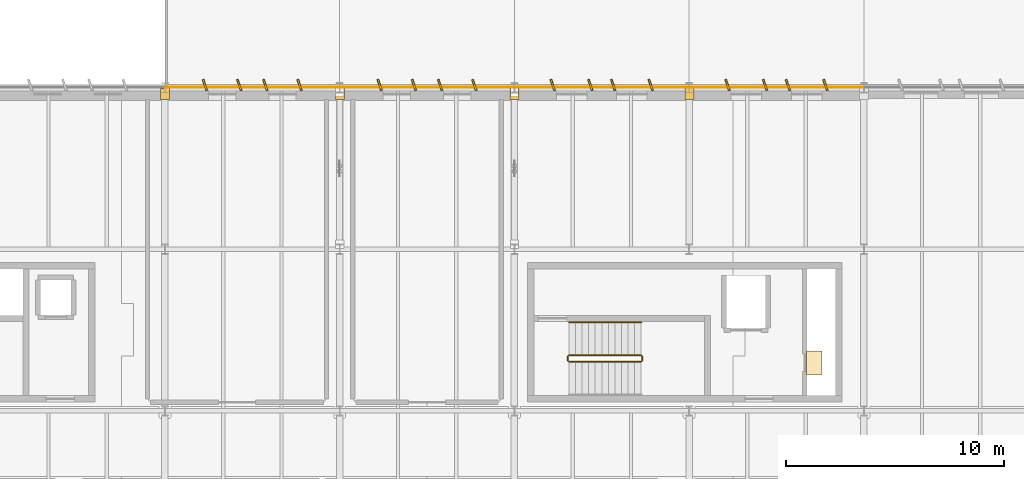
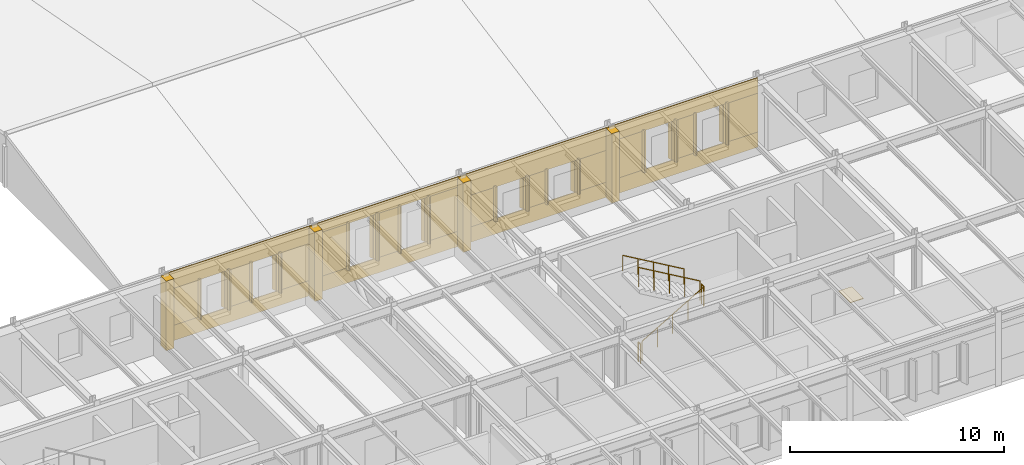
# One storey, part 59 of 63: 41 coverings, 5 railings.
"""IFC4 building model written with IfcOpenShell, lengths in metres."""

from ifc_helpers import new_model, si_unit, direction, frame, frame_2d, origin, origin_2d, place, context, subcontext, project, spatial, polyline, rectangle, circle, outline, extrude, material, layer, layer_set, type_object, element, save


model = new_model("IFC4")

# Units and contexts
model_context = context("Model", 3, precision=1e-05, world=origin(), true_north=direction((0.0, 1.0)))
body_context = subcontext(model_context, "Body", "Model", "MODEL_VIEW")
ifc_project = project(units=[si_unit("LENGTHUNIT", "METRE"), si_unit("AREAUNIT", "SQUARE_METRE"), si_unit("VOLUMEUNIT", "CUBIC_METRE"), si_unit("PLANEANGLEUNIT", "RADIAN"), si_unit("MASSUNIT", "GRAM", prefix="KILO")], contexts=[model_context])

# Site, building, storey
site_placement = place(None, origin())
site = spatial("IfcSite", under=ifc_project, at=site_placement, CompositionType="ELEMENT")
building_placement = place(site_placement, origin())
building = spatial("IfcBuilding", under=site, at=building_placement, Name="Valkorina Park Police Headquarters", CompositionType="ELEMENT")
storey_placement = place(building_placement, frame((0.0, 0.0, 9.89990234375)))
storey = spatial("IfcBuildingStorey", under=building, at=storey_placement, Name="L03", CompositionType="ELEMENT", Elevation=9.89990234375)

# Coverings
ifc_material_1 = material(Name="Precast concrete C40/50", Category="concrete")
ifc_layer_1 = layer(ifc_material_1, 0.044921875)
ifc_layer_set_1 = layer_set([ifc_layer_1], Name="Precast concrete C40/50")
covering_type_1 = type_object("IfcCoveringType", Name="COV-CLAD-DOLOMITE", PredefinedType="CLADDING", material=ifc_layer_set_1)
for number, where, z_axis, x_axis, name in (
    (1, (96.81005859375, 81.110107421875, 0.0), (0.0, 0.0, 1.0), (1.0, 0.0, 0.0), "L03 Exterior Joint Closure Pilaster B 1819"),
    (2, (104.81005859375, 81.110107421875, 0.0), (0.0, 0.0, 1.0), (1.0, 0.0, 0.0), "L03 Exterior Joint Closure Pilaster B 1829"),
):
    element("IfcCovering", number, at=place(storey_placement, frame(where, z_axis=z_axis, x_axis=x_axis)), inside=storey, type_object=covering_type_1, Name=name, PredefinedType="CLADDING", context=body_context, shape_type="SweptSolid", body=[
        extrude(rectangle(XDim=0.419921875, YDim=0.52197265625, at=origin_2d()), origin(), (0.0, 0.0, 1.0), 3.955078125),
    ])
for number, where, z_axis, x_axis, name in (
    (3, (98.632568359375, 81.52001953125, 0.780029296875), (0.0, 0.0, 1.0), (-0.317304656405, 0.948323655206, 0.0), "Slanted 18.5-deg Precast Window Slot Fin 1830"),
    (4, (100.20263671875, 81.52001953125, 0.780029296875), (0.0, 0.0, 1.0), (-0.317304656405, 0.948323655206, 0.0), "Slanted 18.5-deg Precast Window Slot Fin 1831"),
    (5, (101.3974609375, 81.52001953125, 0.780029296875), (0.0, 0.0, 1.0), (-0.317304656405, 0.948323655206, 0.0), "Slanted 18.5-deg Precast Window Slot Fin 1832"),
    (6, (102.96728515625, 81.52001953125, 0.780029296875), (0.0, 0.0, 1.0), (-0.317304656405, 0.948323655206, 0.0), "Slanted 18.5-deg Precast Window Slot Fin 1833"),
):
    element("IfcCovering", number, at=place(storey_placement, frame(where, z_axis=z_axis, x_axis=x_axis)), inside=storey, type_object=covering_type_1, Name=name, PredefinedType="CLADDING", context=body_context, shape_type="SweptSolid", body=[
        extrude(rectangle(XDim=0.5400390625, YDim=0.090087890625, at=origin_2d()), origin(), (0.0, 0.0, 1.0), 2.2900390625),
    ])
covering_1_placement = place(storey_placement, frame((96.820068359375, 81.4150390625, 0.0), z_axis=(0.0, 0.0, 1.0), x_axis=(1.0, 0.0, 0.0)))
element("IfcCovering", 7, at=covering_1_placement, inside=storey, type_object=covering_type_1, Name="L03 Calm Concrete Base Sill Spandrel 1834", PredefinedType="CLADDING", context=body_context, shape_type="SweptSolid", body=[
    extrude(rectangle(XDim=7.9599609375, YDim=0.044921875, at=frame_2d((3.97998046875, 0.0))), origin(), (0.0, 0.0, 1.0), 0.8701171875),
])
covering_2_placement = place(storey_placement, frame((96.820068359375, 81.4150390625, 2.97998046875), z_axis=(0.0, 0.0, 1.0), x_axis=(1.0, 0.0, 0.0)))
element("IfcCovering", 8, at=covering_2_placement, inside=storey, type_object=covering_type_1, Name="L03 Calm Concrete Base Lintel Spandrel 1835", PredefinedType="CLADDING", context=body_context, shape_type="SweptSolid", body=[
    extrude(rectangle(XDim=7.9599609375, YDim=0.044921875, at=frame_2d((3.97998046875, 0.0))), origin(), (0.0, 0.0, 1.0), 0.97509765625),
])
covering_3_placement = place(storey_placement, frame((96.820068359375, 81.4150390625, 0.8701171875), z_axis=(0.0, 0.0, 1.0), x_axis=(1.0, 0.0, 0.0)))
element("IfcCovering", 9, at=covering_3_placement, inside=storey, type_object=covering_type_1, Name="L03 Calm Concrete Base Slot Pier 1836", PredefinedType="CLADDING", context=body_context, shape_type="SweptSolid", body=[
    extrude(rectangle(XDim=1.922607421875, YDim=0.044921875, at=frame_2d((0.96142578125, 0.0))), origin(), (0.0, 0.0, 1.0), 2.10986328125),
])
covering_4_placement = place(storey_placement, frame((100.092529296875, 81.4150390625, 0.8701171875), z_axis=(0.0, 0.0, 1.0), x_axis=(1.0, 0.0, 0.0)))
element("IfcCovering", 10, at=covering_4_placement, inside=storey, type_object=covering_type_1, Name="L03 Calm Concrete Base Slot Pier 1837", PredefinedType="CLADDING", context=body_context, shape_type="SweptSolid", body=[
    extrude(rectangle(XDim=1.414794921875, YDim=0.044921875, at=frame_2d((0.70751953125, 0.0))), origin(), (0.0, 0.0, 1.0), 2.10986328125),
])
covering_5_placement = place(storey_placement, frame((102.857421875, 81.4150390625, 0.8701171875), z_axis=(0.0, 0.0, 1.0), x_axis=(1.0, 0.0, 0.0)))
element("IfcCovering", 11, at=covering_5_placement, inside=storey, type_object=covering_type_1, Name="L03 Calm Concrete Base Slot Pier 1838", PredefinedType="CLADDING", context=body_context, shape_type="SweptSolid", body=[
    extrude(rectangle(XDim=1.922607421875, YDim=0.044921875, at=frame_2d((0.96142578125, 0.0))), origin(), (0.0, 0.0, 1.0), 2.10986328125),
])
covering_6_placement = place(storey_placement, frame((112.81005859375, 81.110107421875, 0.0), z_axis=(0.0, 0.0, 1.0), x_axis=(1.0, 0.0, 0.0)))
element("IfcCovering", 12, at=covering_6_placement, inside=storey, type_object=covering_type_1, Name="L03 Exterior Joint Closure Pilaster B 1839", PredefinedType="CLADDING", context=body_context, shape_type="SweptSolid", body=[
    extrude(rectangle(XDim=0.419921875, YDim=0.52197265625, at=origin_2d()), origin(), (0.0, 0.0, 1.0), 3.955078125),
])
for number, where, z_axis, x_axis, name in (
    (13, (106.632568359375, 81.52001953125, 0.780029296875), (0.0, 0.0, 1.0), (-0.317304656405, 0.948323655206, 0.0), "Slanted 18.5-deg Precast Window Slot Fin 1840"),
    (14, (108.20263671875, 81.52001953125, 0.780029296875), (0.0, 0.0, 1.0), (-0.317304656405, 0.948323655206, 0.0), "Slanted 18.5-deg Precast Window Slot Fin 1841"),
    (15, (109.3974609375, 81.52001953125, 0.780029296875), (0.0, 0.0, 1.0), (-0.317304656405, 0.948323655206, 0.0), "Slanted 18.5-deg Precast Window Slot Fin 1842"),
    (16, (110.96728515625, 81.52001953125, 0.780029296875), (0.0, 0.0, 1.0), (-0.317304656405, 0.948323655206, 0.0), "Slanted 18.5-deg Precast Window Slot Fin 1843"),
):
    element("IfcCovering", number, at=place(storey_placement, frame(where, z_axis=z_axis, x_axis=x_axis)), inside=storey, type_object=covering_type_1, Name=name, PredefinedType="CLADDING", context=body_context, shape_type="SweptSolid", body=[
        extrude(rectangle(XDim=0.5400390625, YDim=0.090087890625, at=origin_2d()), origin(), (0.0, 0.0, 1.0), 2.68994140625),
    ])
covering_7_placement = place(storey_placement, frame((104.820068359375, 81.4150390625, 0.0), z_axis=(0.0, 0.0, 1.0), x_axis=(1.0, 0.0, 0.0)))
element("IfcCovering", 17, at=covering_7_placement, inside=storey, type_object=covering_type_1, Name="L03 Calm Concrete Base Sill Spandrel 1844", PredefinedType="CLADDING", context=body_context, shape_type="SweptSolid", body=[
    extrude(rectangle(XDim=7.9599609375, YDim=0.044921875, at=frame_2d((3.97998046875, 0.0))), origin(), (0.0, 0.0, 1.0), 0.8701171875),
])
covering_8_placement = place(storey_placement, frame((104.820068359375, 81.4150390625, 3.380126953125), z_axis=(0.0, 0.0, 1.0), x_axis=(1.0, 0.0, 0.0)))
element("IfcCovering", 18, at=covering_8_placement, inside=storey, type_object=covering_type_1, Name="L03 Calm Concrete Base Lintel Spandrel 1845", PredefinedType="CLADDING", context=body_context, shape_type="SweptSolid", body=[
    extrude(rectangle(XDim=7.9599609375, YDim=0.044921875, at=frame_2d((3.97998046875, 0.0))), origin(), (0.0, 0.0, 1.0), 0.574951171875),
])
covering_9_placement = place(storey_placement, frame((104.820068359375, 81.4150390625, 0.8701171875), z_axis=(0.0, 0.0, 1.0), x_axis=(1.0, 0.0, 0.0)))
element("IfcCovering", 19, at=covering_9_placement, inside=storey, type_object=covering_type_1, Name="L03 Calm Concrete Base Slot Pier 1846", PredefinedType="CLADDING", context=body_context, shape_type="SweptSolid", body=[
    extrude(rectangle(XDim=1.922607421875, YDim=0.044921875, at=frame_2d((0.96142578125, 0.0))), origin(), (0.0, 0.0, 1.0), 2.510009765625),
])
covering_10_placement = place(storey_placement, frame((108.092529296875, 81.4150390625, 0.8701171875), z_axis=(0.0, 0.0, 1.0), x_axis=(1.0, 0.0, 0.0)))
element("IfcCovering", 20, at=covering_10_placement, inside=storey, type_object=covering_type_1, Name="L03 Calm Concrete Base Slot Pier 1847", PredefinedType="CLADDING", context=body_context, shape_type="SweptSolid", body=[
    extrude(rectangle(XDim=1.414794921875, YDim=0.044921875, at=frame_2d((0.70751953125, 0.0))), origin(), (0.0, 0.0, 1.0), 2.510009765625),
])
covering_11_placement = place(storey_placement, frame((110.857421875, 81.4150390625, 0.8701171875), z_axis=(0.0, 0.0, 1.0), x_axis=(1.0, 0.0, 0.0)))
element("IfcCovering", 21, at=covering_11_placement, inside=storey, type_object=covering_type_1, Name="L03 Calm Concrete Base Slot Pier 1848", PredefinedType="CLADDING", context=body_context, shape_type="SweptSolid", body=[
    extrude(rectangle(XDim=1.922607421875, YDim=0.044921875, at=frame_2d((0.96142578125, 0.0))), origin(), (0.0, 0.0, 1.0), 2.510009765625),
])
covering_12_placement = place(storey_placement, frame((120.81005859375, 81.110107421875, 0.0), z_axis=(0.0, 0.0, 1.0), x_axis=(1.0, 0.0, 0.0)))
element("IfcCovering", 22, at=covering_12_placement, inside=storey, type_object=covering_type_1, Name="L03 Exterior Joint Closure Pilaster B 1849", PredefinedType="CLADDING", context=body_context, shape_type="SweptSolid", body=[
    extrude(rectangle(XDim=0.419921875, YDim=0.52197265625, at=origin_2d()), origin(), (0.0, 0.0, 1.0), 3.955078125),
])
for number, where, z_axis, x_axis, name in (
    (23, (114.5576171875, 81.52001953125, 0.7802734375), (0.0, 0.0, 1.0), (-0.317304656405, 0.948323655206, 0.0), "Slanted 18.5-deg Precast Window Slot Fin 1850"),
    (24, (116.277587890625, 81.52001953125, 0.7802734375), (0.0, 0.0, 1.0), (-0.317304656405, 0.948323655206, 0.0), "Slanted 18.5-deg Precast Window Slot Fin 1851"),
    (25, (117.322509765625, 81.52001953125, 0.7802734375), (0.0, 0.0, 1.0), (-0.317304656405, 0.948323655206, 0.0), "Slanted 18.5-deg Precast Window Slot Fin 1852"),
    (26, (119.04248046875, 81.52001953125, 0.7802734375), (0.0, 0.0, 1.0), (-0.317304656405, 0.948323655206, 0.0), "Slanted 18.5-deg Precast Window Slot Fin 1853"),
):
    element("IfcCovering", number, at=place(storey_placement, frame(where, z_axis=z_axis, x_axis=x_axis)), inside=storey, type_object=covering_type_1, Name=name, PredefinedType="CLADDING", context=body_context, shape_type="SweptSolid", body=[
        extrude(rectangle(XDim=0.5400390625, YDim=0.090087890625, at=origin_2d()), origin(), (0.0, 0.0, 1.0), 1.989990234375),
    ])
covering_13_placement = place(storey_placement, frame((112.820068359375, 81.4150390625, 0.0), z_axis=(0.0, 0.0, 1.0), x_axis=(1.0, 0.0, 0.0)))
element("IfcCovering", 27, at=covering_13_placement, inside=storey, type_object=covering_type_1, Name="L03 Calm Concrete Base Sill Spandrel 1854", PredefinedType="CLADDING", context=body_context, shape_type="SweptSolid", body=[
    extrude(rectangle(XDim=7.9599609375, YDim=0.044921875, at=frame_2d((3.97998046875, 0.0))), origin(), (0.0, 0.0, 1.0), 0.8701171875),
])
covering_14_placement = place(storey_placement, frame((112.820068359375, 81.4150390625, 2.68017578125), z_axis=(0.0, 0.0, 1.0), x_axis=(1.0, 0.0, 0.0)))
element("IfcCovering", 28, at=covering_14_placement, inside=storey, type_object=covering_type_1, Name="L03 Calm Concrete Base Lintel Spandrel 1855", PredefinedType="CLADDING", context=body_context, shape_type="SweptSolid", body=[
    extrude(rectangle(XDim=7.9599609375, YDim=0.044921875, at=frame_2d((3.97998046875, 0.0))), origin(), (0.0, 0.0, 1.0), 1.27490234375),
])
covering_15_placement = place(storey_placement, frame((112.820068359375, 81.4150390625, 0.8701171875), z_axis=(0.0, 0.0, 1.0), x_axis=(1.0, 0.0, 0.0)))
element("IfcCovering", 29, at=covering_15_placement, inside=storey, type_object=covering_type_1, Name="L03 Calm Concrete Base Slot Pier 1856", PredefinedType="CLADDING", context=body_context, shape_type="SweptSolid", body=[
    extrude(rectangle(XDim=1.847412109375, YDim=0.044921875, at=frame_2d((0.923828125, 0.0))), origin(), (0.0, 0.0, 1.0), 1.81005859375),
])
covering_16_placement = place(storey_placement, frame((116.16748046875, 81.4150390625, 0.8701171875), z_axis=(0.0, 0.0, 1.0), x_axis=(1.0, 0.0, 0.0)))
element("IfcCovering", 30, at=covering_16_placement, inside=storey, type_object=covering_type_1, Name="L03 Calm Concrete Base Slot Pier 1857", PredefinedType="CLADDING", context=body_context, shape_type="SweptSolid", body=[
    extrude(rectangle(XDim=1.264892578125, YDim=0.044921875, at=frame_2d((0.63232421875, 0.0))), origin(), (0.0, 0.0, 1.0), 1.81005859375),
])
covering_17_placement = place(storey_placement, frame((118.932373046875, 81.4150390625, 0.8701171875), z_axis=(0.0, 0.0, 1.0), x_axis=(1.0, 0.0, 0.0)))
element("IfcCovering", 31, at=covering_17_placement, inside=storey, type_object=covering_type_1, Name="L03 Calm Concrete Base Slot Pier 1858", PredefinedType="CLADDING", context=body_context, shape_type="SweptSolid", body=[
    extrude(rectangle(XDim=1.84765625, YDim=0.044921875, at=frame_2d((0.923828125, 0.0))), origin(), (0.0, 0.0, 1.0), 1.81005859375),
])
for number, where, z_axis, x_axis, name in (
    (32, (122.5576171875, 81.52001953125, 0.7802734375), (0.0, 0.0, 1.0), (-0.317304656405, 0.948323655206, 0.0), "Slanted 18.5-deg Precast Window Slot Fin 1860"),
    (33, (124.277587890625, 81.52001953125, 0.7802734375), (0.0, 0.0, 1.0), (-0.317304656405, 0.948323655206, 0.0), "Slanted 18.5-deg Precast Window Slot Fin 1861"),
    (34, (125.322509765625, 81.52001953125, 0.7802734375), (0.0, 0.0, 1.0), (-0.317304656405, 0.948323655206, 0.0), "Slanted 18.5-deg Precast Window Slot Fin 1862"),
    (35, (127.04248046875, 81.52001953125, 0.7802734375), (0.0, 0.0, 1.0), (-0.317304656405, 0.948323655206, 0.0), "Slanted 18.5-deg Precast Window Slot Fin 1863"),
):
    element("IfcCovering", number, at=place(storey_placement, frame(where, z_axis=z_axis, x_axis=x_axis)), inside=storey, type_object=covering_type_1, Name=name, PredefinedType="CLADDING", context=body_context, shape_type="SweptSolid", body=[
        extrude(rectangle(XDim=0.5400390625, YDim=0.090087890625, at=origin_2d()), origin(), (0.0, 0.0, 1.0), 2.389892578125),
    ])
covering_18_placement = place(storey_placement, frame((120.820068359375, 81.4150390625, 0.0), z_axis=(0.0, 0.0, 1.0), x_axis=(1.0, 0.0, 0.0)))
element("IfcCovering", 36, at=covering_18_placement, inside=storey, type_object=covering_type_1, Name="L03 Calm Concrete Base Sill Spandrel 1864", PredefinedType="CLADDING", context=body_context, shape_type="SweptSolid", body=[
    extrude(rectangle(XDim=7.9599609375, YDim=0.044921875, at=frame_2d((3.97998046875, 0.0))), origin(), (0.0, 0.0, 1.0), 0.8701171875),
])
covering_19_placement = place(storey_placement, frame((120.820068359375, 81.4150390625, 3.080078125), z_axis=(0.0, 0.0, 1.0), x_axis=(1.0, 0.0, 0.0)))
element("IfcCovering", 37, at=covering_19_placement, inside=storey, type_object=covering_type_1, Name="L03 Calm Concrete Base Lintel Spandrel 1865", PredefinedType="CLADDING", context=body_context, shape_type="SweptSolid", body=[
    extrude(rectangle(XDim=7.9599609375, YDim=0.044921875, at=frame_2d((3.97998046875, 0.0))), origin(), (0.0, 0.0, 1.0), 0.875),
])
covering_20_placement = place(storey_placement, frame((120.820068359375, 81.4150390625, 0.8701171875), z_axis=(0.0, 0.0, 1.0), x_axis=(1.0, 0.0, 0.0)))
element("IfcCovering", 38, at=covering_20_placement, inside=storey, type_object=covering_type_1, Name="L03 Calm Concrete Base Slot Pier 1866", PredefinedType="CLADDING", context=body_context, shape_type="SweptSolid", body=[
    extrude(rectangle(XDim=1.847412109375, YDim=0.044921875, at=frame_2d((0.923828125, 0.0))), origin(), (0.0, 0.0, 1.0), 2.2099609375),
])
covering_21_placement = place(storey_placement, frame((124.16748046875, 81.4150390625, 0.8701171875), z_axis=(0.0, 0.0, 1.0), x_axis=(1.0, 0.0, 0.0)))
element("IfcCovering", 39, at=covering_21_placement, inside=storey, type_object=covering_type_1, Name="L03 Calm Concrete Base Slot Pier 1867", PredefinedType="CLADDING", context=body_context, shape_type="SweptSolid", body=[
    extrude(rectangle(XDim=1.264892578125, YDim=0.044921875, at=frame_2d((0.63232421875, 0.0))), origin(), (0.0, 0.0, 1.0), 2.2099609375),
])
covering_22_placement = place(storey_placement, frame((126.932373046875, 81.4150390625, 0.8701171875), z_axis=(0.0, 0.0, 1.0), x_axis=(1.0, 0.0, 0.0)))
element("IfcCovering", 40, at=covering_22_placement, inside=storey, type_object=covering_type_1, Name="L03 Calm Concrete Base Slot Pier 1868", PredefinedType="CLADDING", context=body_context, shape_type="SweptSolid", body=[
    extrude(rectangle(XDim=1.84765625, YDim=0.044921875, at=frame_2d((0.923828125, 0.0))), origin(), (0.0, 0.0, 1.0), 2.2099609375),
])
ifc_material_2 = material(Name="Resin terrazzo flooring")
ifc_layer_2 = layer(ifc_material_2, 0.030029296875)
ifc_layer_set_2 = layer_set([ifc_layer_2], Name="Resin terrazzo flooring")
covering_type_2 = type_object("IfcCoveringType", Name="COV-FLOOR-TERRAZZO", PredefinedType="FLOORING", material=ifc_layer_set_2)
covering_23_placement = place(storey_placement, origin())
element("IfcCovering", 41, at=covering_23_placement, inside=storey, type_object=covering_type_2, Name="Core C5 L03 Riser Inspection Threshold Grate", PredefinedType="FLOORING", context=body_context, shape_type="SweptSolid", body=[
    extrude(outline(polyline([(126.8798828125, 68.25), (126.8798828125, 69.35009765625), (126.179931640625, 69.35009765625), (126.179931640625, 68.25), (126.8798828125, 68.25)])), origin(), (0.0, 0.0, 1.0), 0.030029296875),
])

# Railings
ifc_material_3 = material(Name="Stainless steel EN 1.4404", Category="steel")
railing_type_1 = type_object("IfcRailingType", Name="RL-GUARD-INT-1100", PredefinedType="BALUSTRADE", material=ifc_material_3)
railing_1_placement = place(storey_placement, frame((115.300048828125, 68.85009765625, 0.175048828125)))
element("IfcRailing", 42, at=railing_1_placement, inside=storey, type_object=railing_type_1, Name="L03 Core C5 Stair Guard 1", PredefinedType="BALUSTRADE", context=body_context, shape_type="SweptSolid", body=[
    extrude(circle(Radius=0.02392578125, at=origin_2d()), frame((0.0, 0.0, 1.09619140625), z_axis=(0.863776583165, 0.0, 0.503874998761), x_axis=(0.0, 1.0, 0.0)), (0.0, 0.0, 1.0), 3.820556640625),
    extrude(circle(Radius=0.02099609375, at=origin_2d()), origin(), (0.0, 0.0, 1.0), 1.072021484375),
    extrude(circle(Radius=0.02099609375, at=origin_2d()), frame((0.824951171875, 0.0, 0.481201171875)), (0.0, 0.0, 1.0), 1.072021484375),
    extrude(circle(Radius=0.02099609375, at=origin_2d()), frame((1.64990234375, 0.0, 0.96240234375)), (0.0, 0.0, 1.0), 1.072021484375),
    extrude(circle(Radius=0.02099609375, at=origin_2d()), frame((2.47509765625, 0.0, 1.44384765625)), (0.0, 0.0, 1.0), 1.072021484375),
    extrude(circle(Radius=0.02099609375, at=origin_2d()), frame((3.300048828125, 0.0, 1.925048828125)), (0.0, 0.0, 1.0), 1.072021484375),
])
railing_2_placement = place(storey_placement, frame((118.64990234375, 68.89990234375, 2.10009765625)))
element("IfcRailing", 43, at=railing_2_placement, inside=storey, type_object=railing_type_1, Name="L03 Core C5 Stair Guard 2", PredefinedType="BALUSTRADE", context=body_context, shape_type="SweptSolid", body=[
    extrude(circle(Radius=0.02392578125, at=origin_2d()), frame((0.0, 0.0, 1.09619140625), z_axis=(0.0, 1.0, 0.0), x_axis=(-1.0, 0.0, 0.0)), (0.0, 0.0, 1.0), 0.2001953125),
    extrude(circle(Radius=0.02099609375, at=origin_2d()), origin(), (0.0, 0.0, 1.0), 1.072021484375),
    extrude(circle(Radius=0.02099609375, at=origin_2d()), frame((0.0, 0.2001953125, 0.0)), (0.0, 0.0, 1.0), 1.072021484375),
])
railing_3_placement = place(storey_placement, frame((118.60009765625, 69.14990234375, 2.275146484375)))
element("IfcRailing", 44, at=railing_3_placement, inside=storey, type_object=railing_type_1, Name="L03 Core C5 Stair Guard 3", PredefinedType="BALUSTRADE", context=body_context, shape_type="SweptSolid", body=[
    extrude(circle(Radius=0.02392578125, at=origin_2d()), frame((0.0, 0.0, 1.09619140625), z_axis=(-0.863776583165, 0.0, 0.503874998761), x_axis=(0.0, -1.0, 0.0)), (0.0, 0.0, 1.0), 3.820556640625),
    extrude(circle(Radius=0.02099609375, at=origin_2d()), origin(), (0.0, 0.0, 1.0), 1.072021484375),
    extrude(circle(Radius=0.02099609375, at=origin_2d()), frame((-0.824951171875, 0.0, 0.481201171875)), (0.0, 0.0, 1.0), 1.072021484375),
    extrude(circle(Radius=0.02099609375, at=origin_2d()), frame((-1.64990234375, 0.0, 0.96240234375)), (0.0, 0.0, 1.0), 1.072021484375),
    extrude(circle(Radius=0.02099609375, at=origin_2d()), frame((-2.47509765625, 0.0, 1.44384765625)), (0.0, 0.0, 1.0), 1.072021484375),
    extrude(circle(Radius=0.02099609375, at=origin_2d()), frame((-3.300048828125, 0.0, 1.925048828125)), (0.0, 0.0, 1.0), 1.072021484375),
])
railing_4_placement = place(storey_placement, frame((115.25, 68.89990234375, 0.0)))
element("IfcRailing", 45, at=railing_4_placement, inside=storey, type_object=railing_type_1, Name="L03 Core C5 Stair Guard 4", PredefinedType="BALUSTRADE", context=body_context, shape_type="SweptSolid", body=[
    extrude(circle(Radius=0.02392578125, at=origin_2d()), frame((0.0, 0.0, 1.09619140625), z_axis=(0.0, 1.0, 0.0), x_axis=(-1.0, 0.0, 0.0)), (0.0, 0.0, 1.0), 0.2001953125),
    extrude(circle(Radius=0.02099609375, at=origin_2d()), origin(), (0.0, 0.0, 1.0), 1.072021484375),
    extrude(circle(Radius=0.02099609375, at=origin_2d()), frame((0.0, 0.2001953125, 0.0)), (0.0, 0.0, 1.0), 1.072021484375),
])
railing_type_2 = type_object("IfcRailingType", Name="RL-HANDRAIL-900", PredefinedType="HANDRAIL", material=ifc_material_3)
railing_5_placement = place(storey_placement, frame((118.60009765625, 70.64990234375, 2.275146484375)))
element("IfcRailing", 46, at=railing_5_placement, inside=storey, type_object=railing_type_2, Name="L03 Core C5 Stair Handrail 2", PredefinedType="HANDRAIL", context=body_context, shape_type="SweptSolid", body=[
    extrude(circle(Radius=0.02392578125, at=origin_2d()), frame((0.0, 0.0, 0.8759765625), z_axis=(-0.863776583165, 0.0, 0.503874998761), x_axis=(0.0, -1.0, 0.0)), (0.0, 0.0, 1.0), 3.820556640625),
    extrude(circle(Radius=0.02099609375, at=origin_2d()), origin(), (0.0, 0.0, 1.0), 0.851806640625),
    extrude(circle(Radius=0.02099609375, at=origin_2d()), frame((-0.824951171875, 0.0, 0.481201171875)), (0.0, 0.0, 1.0), 0.851806640625),
    extrude(circle(Radius=0.02099609375, at=origin_2d()), frame((-1.64990234375, 0.0, 0.96240234375)), (0.0, 0.0, 1.0), 0.851806640625),
    extrude(circle(Radius=0.02099609375, at=origin_2d()), frame((-2.47509765625, 0.0, 1.44384765625)), (0.0, 0.0, 1.0), 0.851806640625),
    extrude(circle(Radius=0.02099609375, at=origin_2d()), frame((-3.300048828125, 0.0, 1.925048828125)), (0.0, 0.0, 1.0), 0.851806640625),
])

save(model, "model.ifc")
